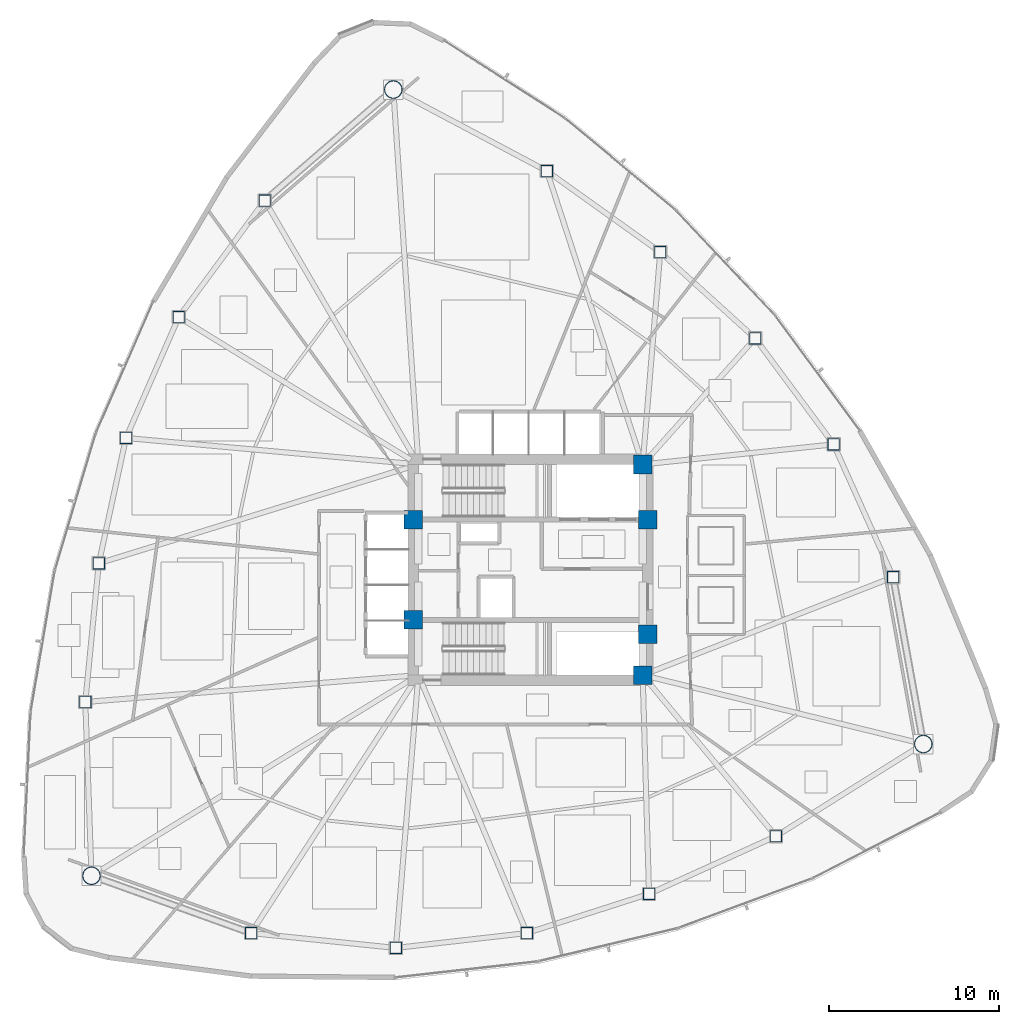
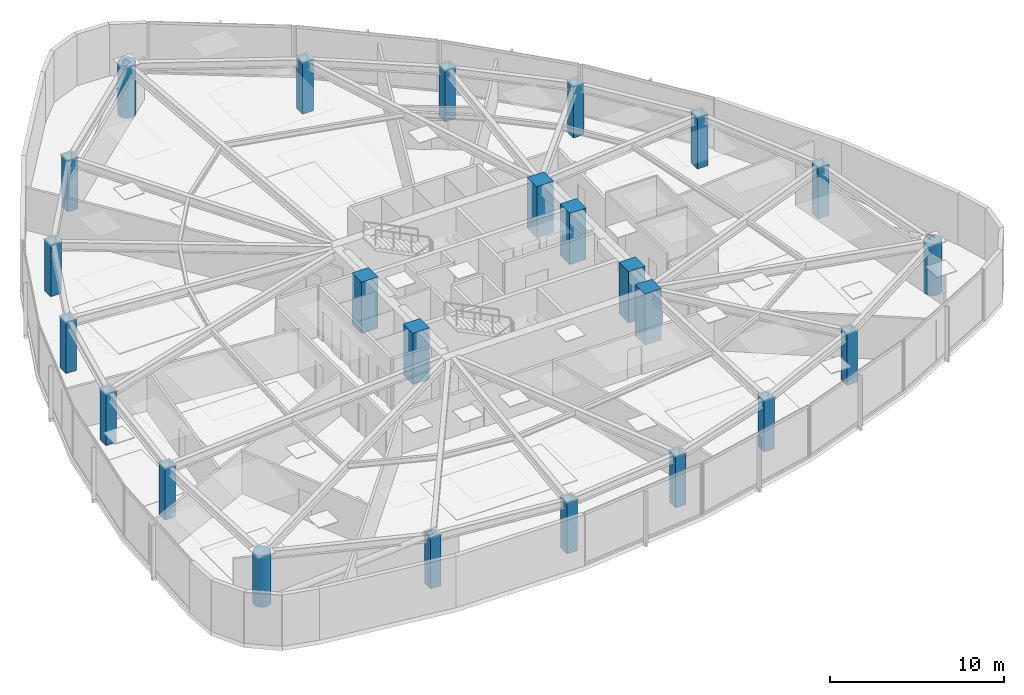
# One storey, part 1 of 17: 24 columns.
"""IFC4 building model written with IfcOpenShell, lengths in metres."""

from ifc_helpers import new_model, si_unit, direction, frame, origin, origin_2d, place, context, subcontext, project, spatial, rectangle, hollow_rectangle, hollow_circle, extrude, material, material_profile, profile_set, type_object, element, save


model = new_model("IFC4")

# Units and contexts
model_context = context("Model", 3, precision=1e-05, world=origin(), true_north=direction((0.0, 1.0)))
body_context = subcontext(model_context, "Body", "Model", "MODEL_VIEW")
ifc_project = project(units=[si_unit("LENGTHUNIT", "METRE"), si_unit("AREAUNIT", "SQUARE_METRE"), si_unit("VOLUMEUNIT", "CUBIC_METRE"), si_unit("PLANEANGLEUNIT", "RADIAN"), si_unit("MASSUNIT", "GRAM", prefix="KILO")], contexts=[model_context])

# Site, building, storey
site_placement = place(None, origin())
site = spatial("IfcSite", under=ifc_project, at=site_placement, CompositionType="ELEMENT")
building_placement = place(site_placement, origin())
building = spatial("IfcBuilding", under=site, at=building_placement, Name="Tavelor Broadcast Tower", CompositionType="ELEMENT")
storey_placement = place(building_placement, frame((0.0, 0.0, 66.60009765625)))
storey = spatial("IfcBuildingStorey", under=building, at=storey_placement, Name="L15", CompositionType="ELEMENT", Elevation=66.60009765625)

# Columns
ifc_material_1 = material(Name="Concrete C60/75", Category="concrete")
ifc_material_profile_1 = material_profile(ifc_material_1, rectangle(XDim=1.10009765625, YDim=1.10009765625, at=origin_2d()), Name="RC 1100x1100")
ifc_profile_set_1 = profile_set([ifc_material_profile_1], Name="Concrete C60/75")
column_type_1 = type_object("IfcColumnType", Name="Core Embedded Composite Column RC1100", PredefinedType="COLUMN", material=ifc_profile_set_1)
for number, where, z_axis, x_axis, name in (
    (1, (43.10009765625, 47.949951171875, 0.0), (0.0, 0.0, 1.0), (1.0, 0.0, 0.0), "L15 Core Embedded Column 1"),
    (2, (56.89990234375, 47.949951171875, 0.0), (0.0, 0.0, 1.0), (1.0, 0.0, 0.0), "L15 Core Embedded Column 2"),
    (3, (56.60009765625, 51.199951171875, 0.0), (0.0, 0.0, 1.0), (1.0, 0.0, 0.0), "L15 Core Embedded Column 3"),
    (4, (43.10009765625, 42.050048828125, 0.0), (0.0, 0.0, 1.0), (1.0, 0.0, 0.0), "L15 Core Embedded Column 4"),
    (5, (56.89990234375, 41.199951171875, 0.0), (0.0, 0.0, 1.0), (1.0, 0.0, 0.0), "L15 Core Embedded Column 5"),
    (6, (56.60009765625, 38.800048828125, 0.0), (0.0, 0.0, 1.0), (1.0, 0.0, 0.0), "L15 Core Embedded Column 6"),
):
    element("IfcColumn", number, at=place(storey_placement, frame(where, z_axis=z_axis, x_axis=x_axis)), inside=storey, type_object=column_type_1, Name=name, PredefinedType="COLUMN", context=body_context, shape_type="SweptSolid", body=[
        extrude(rectangle(XDim=1.10009765625, YDim=1.10009765625, at=origin_2d()), origin(), (0.0, 0.0, 1.0), 3.599853515625),
    ])
ifc_material_2 = material(Name="Steel S460", Category="steel")
ifc_material_profile_2 = material_profile(ifc_material_2, hollow_rectangle(XDim=0.699951171875, YDim=0.699951171875, WallThickness=0.0400390625, at=origin_2d()), Name="SHS 700x700x40")
ifc_profile_set_2 = profile_set([ifc_material_profile_2], Name="Steel S460")
column_type_2 = type_object("IfcColumnType", Name="Perimeter Tube Column T2 SHS 700x700x40", PredefinedType="COLUMN", material=ifc_profile_set_2)
for number, where, z_axis, x_axis, name in (
    (7, (34.356201171875, 66.727783203125, 0.0), (0.0, 0.0, 1.0), (1.0, 0.0, 0.0), "L15 Perimeter Framed-Tube Column 02"),
    (8, (29.292236328125, 59.87158203125, 0.0), (0.0, 0.0, 1.0), (1.0, 0.0, 0.0), "L15 Perimeter Framed-Tube Column 03"),
    (9, (26.189208984375, 52.75830078125, 0.0), (0.0, 0.0, 1.0), (1.0, 0.0, 0.0), "L15 Perimeter Framed-Tube Column 04"),
    (10, (24.58984375, 45.380615234375, 0.0), (0.0, 0.0, 1.0), (1.0, 0.0, 0.0), "L15 Perimeter Framed-Tube Column 05"),
    (11, (23.794677734375, 37.21630859375, 0.0), (0.0, 0.0, 1.0), (1.0, 0.0, 0.0), "L15 Perimeter Framed-Tube Column 06"),
    (12, (33.55078125, 23.615478515625, 0.0), (0.0, 0.0, 1.0), (1.0, 0.0, 0.0), "L15 Perimeter Framed-Tube Column 08"),
    (13, (42.0732421875, 22.740478515625, 0.0), (0.0, 0.0, 1.0), (1.0, 0.0, 0.0), "L15 Perimeter Framed-Tube Column 09"),
    (14, (49.78662109375, 23.617919921875, 0.0), (0.0, 0.0, 1.0), (1.0, 0.0, 0.0), "L15 Perimeter Framed-Tube Column 10"),
    (15, (56.975341796875, 25.92138671875, 0.0), (0.0, 0.0, 1.0), (1.0, 0.0, 0.0), "L15 Perimeter Framed-Tube Column 11"),
    (16, (64.443603515625, 29.31494140625, 0.0), (0.0, 0.0, 1.0), (1.0, 0.0, 0.0), "L15 Perimeter Framed-Tube Column 12"),
    (17, (71.343994140625, 44.564697265625, 0.0), (0.0, 0.0, 1.0), (1.0, 0.0, 0.0), "L15 Perimeter Framed-Tube Column 14"),
    (18, (67.8408203125, 52.382568359375, 0.0), (0.0, 0.0, 1.0), (1.0, 0.0, 0.0), "L15 Perimeter Framed-Tube Column 15"),
    (19, (63.22412109375, 58.623779296875, 0.0), (0.0, 0.0, 1.0), (1.0, 0.0, 0.0), "L15 Perimeter Framed-Tube Column 16"),
    (20, (57.634765625, 63.69775390625, 0.0), (0.0, 0.0, 1.0), (1.0, 0.0, 0.0), "L15 Perimeter Framed-Tube Column 17"),
    (21, (50.9619140625, 68.468505859375, 0.0), (0.0, 0.0, 1.0), (1.0, 0.0, 0.0), "L15 Perimeter Framed-Tube Column 18"),
):
    element("IfcColumn", number, at=place(storey_placement, frame(where, z_axis=z_axis, x_axis=x_axis)), inside=storey, type_object=column_type_2, Name=name, PredefinedType="COLUMN", context=body_context, shape_type="SweptSolid", body=[
        extrude(hollow_rectangle(XDim=0.699951171875, YDim=0.699951171875, WallThickness=0.0400390625, at=origin_2d()), origin(), (0.0, 0.0, 1.0), 3.599853515625),
    ])
ifc_material_profile_3 = material_profile(ifc_material_2, hollow_circle(Radius=0.533447265625, WallThickness=0.044921875, at=origin_2d()), Name="CHS 1067x45")
ifc_profile_set_3 = profile_set([ifc_material_profile_3], Name="Steel S460")
column_type_3 = type_object("IfcColumnType", Name="Tower Mega Column T2 CHS 1067x45", PredefinedType="COLUMN", material=ifc_profile_set_3)
for number, where, z_axis, x_axis, name in (
    (22, (41.923095703125, 73.266357421875, 0.0), (0.0, 0.0, 1.0), (1.0, 0.0, 0.0), "L15 Tower Corner Mega Column 01"),
    (23, (24.1591796875, 26.98974609375, 0.0), (0.0, 0.0, 1.0), (1.0, 0.0, 0.0), "L15 Tower Corner Mega Column 07"),
    (24, (73.117919921875, 34.743896484375, 0.0), (0.0, 0.0, 1.0), (1.0, 0.0, 0.0), "L15 Tower Corner Mega Column 13"),
):
    element("IfcColumn", number, at=place(storey_placement, frame(where, z_axis=z_axis, x_axis=x_axis)), inside=storey, type_object=column_type_3, Name=name, PredefinedType="COLUMN", context=body_context, shape_type="SweptSolid", body=[
        extrude(hollow_circle(Radius=0.533447265625, WallThickness=0.044921875, at=origin_2d()), origin(), (0.0, 0.0, 1.0), 3.599853515625),
    ])

save(model, "model.ifc")
